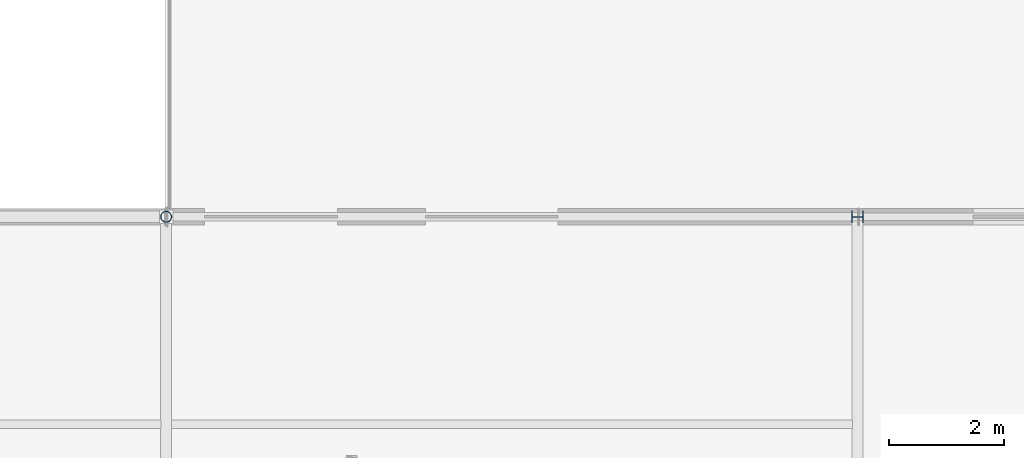
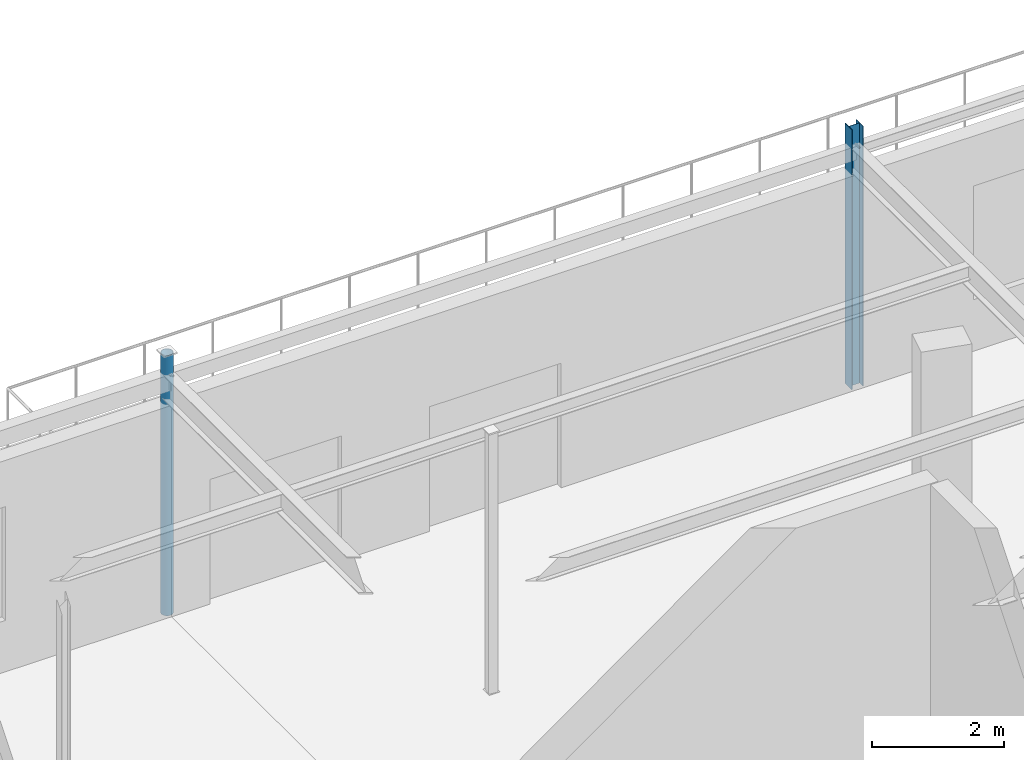
# One storey, part 63 of 199: 2 columns.
"""IFC4 building model written with IfcOpenShell, lengths in metres."""

import ifcopenshell
import ifcopenshell.guid

model = None  # the IFC model being written
_history = None  # IfcOwnerHistory: only IFC2X3 demands one
_inside = {}  # id of a spatial element -> (the spatial element, [elements in it])
_under = {}  # id of a project, library or spatial element -> (it, [spatial elements below it])
_declared = {}  # id of a project -> (the project, [libraries it declares])
_typed = {}  # id of a type object -> (the type object, [elements of that type])
_made_of = {}  # id of a material, layer set ... -> (it, [elements and type objects made of it])


def new_model(schema):
    """Start an empty IFC model of exactly this schema.

    Asked for "IFC4X3", IfcOpenShell would pick the latest addendum, in which some entities
    have other attributes; the version numbers below select the first issue.
    IFC2X3 requires an IfcOwnerHistory on every rooted entity: one is made here for all.
    """
    global model, _history
    if schema == "IFC4X3":
        model = ifcopenshell.file(schema_version=(4, 3, 0, 0))
    else:
        model = ifcopenshell.file(schema=schema)
    _inside.clear()
    _under.clear()
    _declared.clear()
    _typed.clear()
    _made_of.clear()
    _history = None
    if model.schema == "IFC2X3":
        org = make("IfcOrganization", Name="unknown")
        user = make(
            "IfcPersonAndOrganization",
            ThePerson=make("IfcPerson", FamilyName="unknown"),
            TheOrganization=org,
        )
        app = make(
            "IfcApplication",
            ApplicationDeveloper=org,
            Version="unknown",
            ApplicationFullName="unknown",
            ApplicationIdentifier="unknown",
        )
        _history = make(
            "IfcOwnerHistory",
            OwningUser=user,
            OwningApplication=app,
            ChangeAction="ADDED",
            CreationDate=0,
        )
    return model


def make(cls, **values):
    """One entity of the class cls with the attributes given. An attribute that is None is left unset."""
    return model.create_entity(
        cls, **{name: value for name, value in values.items() if value is not None}
    )


def rooted(cls, **values):
    """An entity with a GlobalId (a new one), such as an element, a storey or a relation."""
    return make(cls, GlobalId=ifcopenshell.guid.new(), OwnerHistory=_history, **values)


def si_unit(unit_type, name, prefix=None):
    """IfcSIUnit, for example si_unit("LENGTHUNIT", "METRE", prefix="MILLI")."""
    return make("IfcSIUnit", UnitType=unit_type, Prefix=prefix, Name=name)


def assignment(units):
    """IfcUnitAssignment: the units of a project."""
    return None if units is None else make("IfcUnitAssignment", Units=units)


def point(xyz):
    """IfcCartesianPoint."""
    return None if xyz is None else make("IfcCartesianPoint", Coordinates=xyz)


def direction(xyz):
    """IfcDirection."""
    return None if xyz is None else make("IfcDirection", DirectionRatios=xyz)


def frame(location, z_axis=None, x_axis=None):
    """IfcAxis2Placement3D, a coordinate frame: its origin and axes. An axis left out is left unset."""
    return make(
        "IfcAxis2Placement3D",
        Location=point(location),
        Axis=direction(z_axis),
        RefDirection=direction(x_axis),
    )


def frame_2d(location, x_axis=None):
    """IfcAxis2Placement2D, a coordinate frame in the plane: its origin and x axis."""
    return make(
        "IfcAxis2Placement2D", Location=point(location), RefDirection=direction(x_axis)
    )


def origin():
    """The frame at (0, 0, 0) with its axes left unset."""
    return frame((0.0, 0.0, 0.0))


def origin_2d():
    """The frame at (0, 0) in the plane with its x axis left unset."""
    return frame_2d((0.0, 0.0))


def place(relative_to, where):
    """IfcLocalPlacement: puts the frame where relative to a parent placement (None: the world)."""
    return make(
        "IfcLocalPlacement", PlacementRelTo=relative_to, RelativePlacement=where
    )


def context(
    kind, dimensions, precision=None, world=None, true_north=None, identifier=None
):
    """IfcGeometricRepresentationContext, for example the 3D "Model" context."""
    return make(
        "IfcGeometricRepresentationContext",
        ContextIdentifier=identifier,
        ContextType=kind,
        CoordinateSpaceDimension=dimensions,
        Precision=precision,
        WorldCoordinateSystem=world,
        TrueNorth=true_north,
    )


def subcontext(parent, identifier, kind, view, scale=None):
    """IfcGeometricRepresentationSubContext, for example "Body" below "Model"."""
    return make(
        "IfcGeometricRepresentationSubContext",
        ContextIdentifier=identifier,
        ContextType=kind,
        ParentContext=parent,
        TargetScale=scale,
        TargetView=view,
    )


def project(units=None, contexts=None):
    """IfcProject with its units and contexts."""
    return rooted(
        "IfcProject",
        Name="project",
        RepresentationContexts=contexts,
        UnitsInContext=assignment(units),
    )


def spatial(cls, under=None, at=None, **own):
    """A site, building, storey or space (cls), placed at a placement, below another one or the project."""
    s = rooted(cls, ObjectPlacement=at, **own)
    if under is not None:
        _under.setdefault(under.id(), (under, []))[1].append(s)
    return s


def profile(cls, at=None, kind="AREA", **sizes):
    """A parametric profile (cls). Its sizes go by their IFC names, for example OverallWidth=200.0."""
    return make(cls, ProfileType=kind, Position=at, **sizes)


def hollow_circle(**sizes):
    """IfcCircleHollowProfileDef."""
    return profile("IfcCircleHollowProfileDef", **sizes)


def i_section(**sizes):
    """IfcIShapeProfileDef."""
    return profile("IfcIShapeProfileDef", **sizes)


def extrude(swept, where, along, depth):
    """IfcExtrudedAreaSolid: the profile swept, set in the frame where, extruded along a direction by depth."""
    return make(
        "IfcExtrudedAreaSolid",
        SweptArea=swept,
        Position=where,
        ExtrudedDirection=direction(along),
        Depth=depth,
    )


def shape(context_of_items, identifier, shape_type, items):
    """IfcShapeRepresentation: the items that make up one representation, for example the "Body"."""
    return make(
        "IfcShapeRepresentation",
        ContextOfItems=context_of_items,
        RepresentationIdentifier=identifier,
        RepresentationType=shape_type,
        Items=items,
    )


def material(Name=None, Category=None):
    """IfcMaterial."""
    return make("IfcMaterial", Name=Name, Category=Category)


def material_profile(
    of_material, cross_section, Name=None, Category=None, Priority=None
):
    """IfcMaterialProfile: a cross section and its material."""
    return make(
        "IfcMaterialProfile",
        Name=Name,
        Material=of_material,
        Profile=cross_section,
        Priority=Priority,
        Category=Category,
    )


def profile_set(profiles, Name=None, composite=None):
    """IfcMaterialProfileSet."""
    return make(
        "IfcMaterialProfileSet",
        Name=Name,
        MaterialProfiles=profiles,
        CompositeProfile=composite,
    )


def made_of(thing, what):
    """Note that an element or type object is made of a material, layer set ...; save() writes the relation."""
    if what is not None:
        _made_of.setdefault(what.id(), (what, []))[1].append(thing)
    return thing


def type_object(cls, material=None, **own):
    """A type object (cls), such as IfcWallType, which elements share."""
    return made_of(rooted(cls, **own), material)


def element(
    cls,
    number,
    at=None,
    inside=None,
    cuts=None,
    type_object=None,
    material=None,
    context=None,
    identifier="Body",
    shape_type=None,
    held_by="IfcProductDefinitionShape",
    body=None,
    shapes=None,
    **own,
):
    """One element of the class cls, such as IfcWall. Its Tag is "e" and its number.

    at: its placement. inside: the storey or other place that contains it. cuts: it is an
    opening in that element (IfcRelVoidsElement). A single representation is given by context,
    identifier, shape_type and body (its items); several are given by shapes. held_by: the class
    of the entity that holds the representations. save() writes the other relations.
    """
    e = rooted(cls, Tag="e%d" % number, ObjectPlacement=at, **own)
    if body is not None:
        shapes = [shape(context, identifier, shape_type, body)]
    if shapes is not None:
        e.Representation = make(held_by, Representations=shapes)
    if inside is not None:
        _inside.setdefault(inside.id(), (inside, []))[1].append(e)
    if cuts is not None:
        rooted(
            "IfcRelVoidsElement", RelatingBuildingElement=cuts, RelatedOpeningElement=e
        )
    if type_object is not None:
        _typed.setdefault(type_object.id(), (type_object, []))[1].append(e)
    return made_of(e, material)


def aggregate(whole, parts):
    """IfcRelAggregates: a whole, such as a stair, and the parts it consists of."""
    return rooted("IfcRelAggregates", RelatingObject=whole, RelatedObjects=parts)


def save(model, path):
    """Write the relations noted so far, then the file.

    IfcRelAggregates (storeys below a building ...), IfcRelContainedInSpatialStructure (elements
    in a storey), IfcRelDefinesByType, IfcRelAssociatesMaterial and IfcRelDeclares: one each for
    every whole, place, type object, material and project.
    """
    for whole, parts in _under.values():
        aggregate(whole, parts)
    for where, things in _inside.values():
        rooted(
            "IfcRelContainedInSpatialStructure",
            RelatedElements=things,
            RelatingStructure=where,
        )
    for kind, things in _typed.values():
        rooted("IfcRelDefinesByType", RelatedObjects=things, RelatingType=kind)
    for what, things in _made_of.values():
        rooted("IfcRelAssociatesMaterial", RelatedObjects=things, RelatingMaterial=what)
    for by, libraries in _declared.values():
        rooted("IfcRelDeclares", RelatingContext=by, RelatedDefinitions=libraries)
    model.write(path)


model = new_model("IFC4")

# Units and contexts
model_context = context("Model", 3, precision=1e-05, world=origin(), true_north=direction((0.0, 1.0)))
body_context = subcontext(model_context, "Body", "Model", "MODEL_VIEW")
ifc_project = project(units=[si_unit("LENGTHUNIT", "METRE"), si_unit("AREAUNIT", "SQUARE_METRE"), si_unit("VOLUMEUNIT", "CUBIC_METRE"), si_unit("PLANEANGLEUNIT", "RADIAN"), si_unit("MASSUNIT", "GRAM", prefix="KILO")], contexts=[model_context])

# Site, building, storey
site_placement = place(None, origin())
site = spatial("IfcSite", under=ifc_project, at=site_placement, CompositionType="ELEMENT")
building_placement = place(site_placement, origin())
building = spatial("IfcBuilding", under=site, at=building_placement, Name="Tarnwether General Hospital", CompositionType="ELEMENT")
storey_placement = place(building_placement, origin())
storey = spatial("IfcBuildingStorey", under=building, at=storey_placement, Name="L00", CompositionType="ELEMENT", Elevation=0.0)

# Columns
ifc_material_1 = material(Name="Steel Grade 350 (350 MPa)", Category="steel")
ifc_material_profile_1 = material_profile(ifc_material_1, i_section(OverallWidth=0.202880859375, OverallDepth=0.202880859375, WebThickness=0.00732421875, FlangeThickness=0.010986328125, at=origin_2d()), Name="200UC46.2")
ifc_profile_set_1 = profile_set([ifc_material_profile_1], Name="Steel Grade 350 (350 MPa)")
column_type_1 = type_object("IfcColumnType", Name="COL-27", PredefinedType="COLUMN", material=ifc_profile_set_1)
column_1_placement = place(storey_placement, frame((108.0, 126.0, 0.0), z_axis=(0.0, 0.0, 1.0), x_axis=(0.0, 1.0, 0.0)))
element("IfcColumn", 1, at=column_1_placement, inside=storey, type_object=column_type_1, Name="Column COLG-L00-10800_12600", PredefinedType="COLUMN", context=body_context, shape_type="SweptSolid", body=[
    extrude(i_section(OverallWidth=0.202880859375, OverallDepth=0.202880859375, WebThickness=0.00732421875, FlangeThickness=0.010986328125, at=origin_2d()), origin(), (0.0, 0.0, 1.0), 4.800048828125),
])
ifc_material_2 = material(Name="Steel Grade C350L0 (350 MPa)", Category="steel")
ifc_material_profile_2 = material_profile(ifc_material_2, hollow_circle(Radius=0.096923828125, WallThickness=0.008056640625, at=origin_2d()), Name="CHS193.7x8.0")
ifc_profile_set_2 = profile_set([ifc_material_profile_2], Name="Steel Grade C350L0 (350 MPa)")
column_type_2 = type_object("IfcColumnType", Name="COL-29", PredefinedType="COLUMN", material=ifc_profile_set_2)
column_2_placement = place(storey_placement, frame((96.0, 126.0, 0.0), z_axis=(0.0, 0.0, 1.0), x_axis=(1.0, 0.0, 0.0)))
element("IfcColumn", 2, at=column_2_placement, inside=storey, type_object=column_type_2, Name="Column COLG-L00-9600_12600", PredefinedType="COLUMN", context=body_context, shape_type="SweptSolid", body=[
    extrude(hollow_circle(Radius=0.096923828125, WallThickness=0.008056640625, at=origin_2d()), origin(), (0.0, 0.0, 1.0), 4.800048828125),
])

save(model, "model.ifc")
